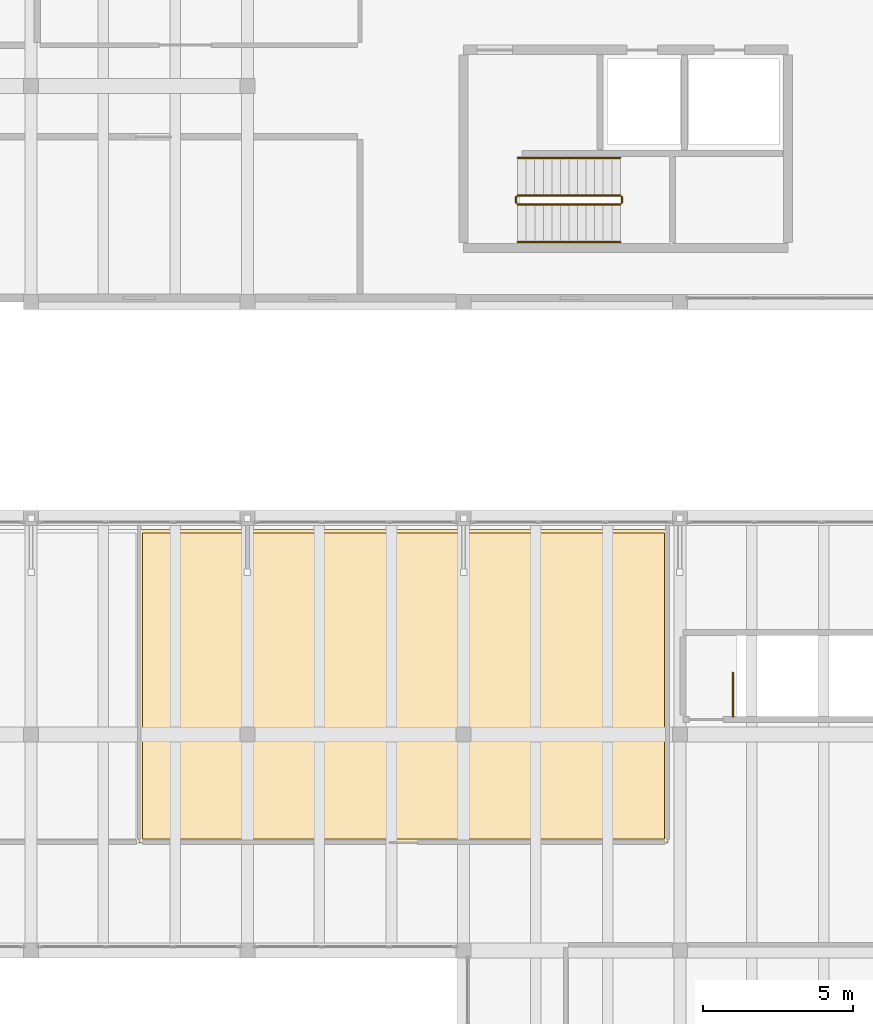
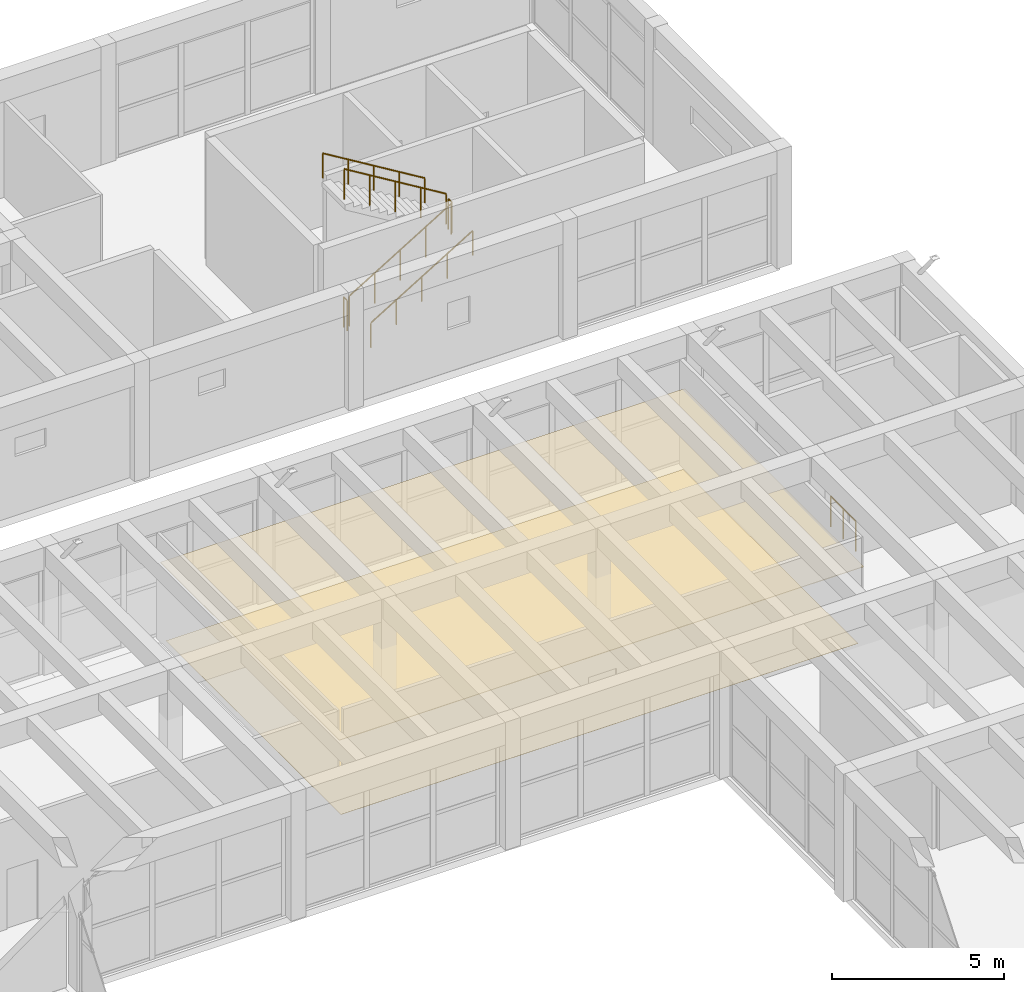
# One storey, part 152 of 153: 7 railings, 2 coverings.
"""IFC4 building model written with IfcOpenShell, lengths in metres."""

import ifcopenshell
import ifcopenshell.guid

model = None  # the IFC model being written
_history = None  # IfcOwnerHistory: only IFC2X3 demands one
_inside = {}  # id of a spatial element -> (the spatial element, [elements in it])
_under = {}  # id of a project, library or spatial element -> (it, [spatial elements below it])
_declared = {}  # id of a project -> (the project, [libraries it declares])
_typed = {}  # id of a type object -> (the type object, [elements of that type])
_made_of = {}  # id of a material, layer set ... -> (it, [elements and type objects made of it])


def new_model(schema):
    """Start an empty IFC model of exactly this schema.

    Asked for "IFC4X3", IfcOpenShell would pick the latest addendum, in which some entities
    have other attributes; the version numbers below select the first issue.
    IFC2X3 requires an IfcOwnerHistory on every rooted entity: one is made here for all.
    """
    global model, _history
    if schema == "IFC4X3":
        model = ifcopenshell.file(schema_version=(4, 3, 0, 0))
    else:
        model = ifcopenshell.file(schema=schema)
    _inside.clear()
    _under.clear()
    _declared.clear()
    _typed.clear()
    _made_of.clear()
    _history = None
    if model.schema == "IFC2X3":
        org = make("IfcOrganization", Name="unknown")
        user = make(
            "IfcPersonAndOrganization",
            ThePerson=make("IfcPerson", FamilyName="unknown"),
            TheOrganization=org,
        )
        app = make(
            "IfcApplication",
            ApplicationDeveloper=org,
            Version="unknown",
            ApplicationFullName="unknown",
            ApplicationIdentifier="unknown",
        )
        _history = make(
            "IfcOwnerHistory",
            OwningUser=user,
            OwningApplication=app,
            ChangeAction="ADDED",
            CreationDate=0,
        )
    return model


def make(cls, **values):
    """One entity of the class cls with the attributes given. An attribute that is None is left unset."""
    return model.create_entity(
        cls, **{name: value for name, value in values.items() if value is not None}
    )


def rooted(cls, **values):
    """An entity with a GlobalId (a new one), such as an element, a storey or a relation."""
    return make(cls, GlobalId=ifcopenshell.guid.new(), OwnerHistory=_history, **values)


def si_unit(unit_type, name, prefix=None):
    """IfcSIUnit, for example si_unit("LENGTHUNIT", "METRE", prefix="MILLI")."""
    return make("IfcSIUnit", UnitType=unit_type, Prefix=prefix, Name=name)


def assignment(units):
    """IfcUnitAssignment: the units of a project."""
    return None if units is None else make("IfcUnitAssignment", Units=units)


def point(xyz):
    """IfcCartesianPoint."""
    return None if xyz is None else make("IfcCartesianPoint", Coordinates=xyz)


def direction(xyz):
    """IfcDirection."""
    return None if xyz is None else make("IfcDirection", DirectionRatios=xyz)


def frame(location, z_axis=None, x_axis=None):
    """IfcAxis2Placement3D, a coordinate frame: its origin and axes. An axis left out is left unset."""
    return make(
        "IfcAxis2Placement3D",
        Location=point(location),
        Axis=direction(z_axis),
        RefDirection=direction(x_axis),
    )


def frame_2d(location, x_axis=None):
    """IfcAxis2Placement2D, a coordinate frame in the plane: its origin and x axis."""
    return make(
        "IfcAxis2Placement2D", Location=point(location), RefDirection=direction(x_axis)
    )


def origin():
    """The frame at (0, 0, 0) with its axes left unset."""
    return frame((0.0, 0.0, 0.0))


def origin_2d():
    """The frame at (0, 0) in the plane with its x axis left unset."""
    return frame_2d((0.0, 0.0))


def place(relative_to, where):
    """IfcLocalPlacement: puts the frame where relative to a parent placement (None: the world)."""
    return make(
        "IfcLocalPlacement", PlacementRelTo=relative_to, RelativePlacement=where
    )


def context(
    kind, dimensions, precision=None, world=None, true_north=None, identifier=None
):
    """IfcGeometricRepresentationContext, for example the 3D "Model" context."""
    return make(
        "IfcGeometricRepresentationContext",
        ContextIdentifier=identifier,
        ContextType=kind,
        CoordinateSpaceDimension=dimensions,
        Precision=precision,
        WorldCoordinateSystem=world,
        TrueNorth=true_north,
    )


def subcontext(parent, identifier, kind, view, scale=None):
    """IfcGeometricRepresentationSubContext, for example "Body" below "Model"."""
    return make(
        "IfcGeometricRepresentationSubContext",
        ContextIdentifier=identifier,
        ContextType=kind,
        ParentContext=parent,
        TargetScale=scale,
        TargetView=view,
    )


def project(units=None, contexts=None):
    """IfcProject with its units and contexts."""
    return rooted(
        "IfcProject",
        Name="project",
        RepresentationContexts=contexts,
        UnitsInContext=assignment(units),
    )


def spatial(cls, under=None, at=None, **own):
    """A site, building, storey or space (cls), placed at a placement, below another one or the project."""
    s = rooted(cls, ObjectPlacement=at, **own)
    if under is not None:
        _under.setdefault(under.id(), (under, []))[1].append(s)
    return s


def polyline(points):
    """IfcPolyline through the points."""
    return make("IfcPolyline", Points=[point(p) for p in points])


def profile(cls, at=None, kind="AREA", **sizes):
    """A parametric profile (cls). Its sizes go by their IFC names, for example OverallWidth=200.0."""
    return make(cls, ProfileType=kind, Position=at, **sizes)


def circle(**sizes):
    """IfcCircleProfileDef."""
    return profile("IfcCircleProfileDef", **sizes)


def outline(outer, holes=None, kind="AREA"):
    """IfcArbitraryClosedProfileDef: a profile drawn as a closed curve; with holes, ...WithVoids."""
    if holes is None:
        return make("IfcArbitraryClosedProfileDef", ProfileType=kind, OuterCurve=outer)
    return make(
        "IfcArbitraryProfileDefWithVoids",
        ProfileType=kind,
        OuterCurve=outer,
        InnerCurves=holes,
    )


def extrude(swept, where, along, depth):
    """IfcExtrudedAreaSolid: the profile swept, set in the frame where, extruded along a direction by depth."""
    return make(
        "IfcExtrudedAreaSolid",
        SweptArea=swept,
        Position=where,
        ExtrudedDirection=direction(along),
        Depth=depth,
    )


def shape(context_of_items, identifier, shape_type, items):
    """IfcShapeRepresentation: the items that make up one representation, for example the "Body"."""
    return make(
        "IfcShapeRepresentation",
        ContextOfItems=context_of_items,
        RepresentationIdentifier=identifier,
        RepresentationType=shape_type,
        Items=items,
    )


def material(Name=None, Category=None):
    """IfcMaterial."""
    return make("IfcMaterial", Name=Name, Category=Category)


def layer(
    of_material, thickness, ventilated=None, Name=None, Category=None, Priority=None
):
    """IfcMaterialLayer: one layer of a wall or slab, of a material (None: an air gap)."""
    return make(
        "IfcMaterialLayer",
        Material=of_material,
        LayerThickness=thickness,
        IsVentilated=ventilated,
        Name=Name,
        Category=Category,
        Priority=Priority,
    )


def layer_set(layers, Name=None):
    """IfcMaterialLayerSet."""
    return make("IfcMaterialLayerSet", MaterialLayers=layers, LayerSetName=Name)


def made_of(thing, what):
    """Note that an element or type object is made of a material, layer set ...; save() writes the relation."""
    if what is not None:
        _made_of.setdefault(what.id(), (what, []))[1].append(thing)
    return thing


def type_object(cls, material=None, **own):
    """A type object (cls), such as IfcWallType, which elements share."""
    return made_of(rooted(cls, **own), material)


def element(
    cls,
    number,
    at=None,
    inside=None,
    cuts=None,
    type_object=None,
    material=None,
    context=None,
    identifier="Body",
    shape_type=None,
    held_by="IfcProductDefinitionShape",
    body=None,
    shapes=None,
    **own,
):
    """One element of the class cls, such as IfcWall. Its Tag is "e" and its number.

    at: its placement. inside: the storey or other place that contains it. cuts: it is an
    opening in that element (IfcRelVoidsElement). A single representation is given by context,
    identifier, shape_type and body (its items); several are given by shapes. held_by: the class
    of the entity that holds the representations. save() writes the other relations.
    """
    e = rooted(cls, Tag="e%d" % number, ObjectPlacement=at, **own)
    if body is not None:
        shapes = [shape(context, identifier, shape_type, body)]
    if shapes is not None:
        e.Representation = make(held_by, Representations=shapes)
    if inside is not None:
        _inside.setdefault(inside.id(), (inside, []))[1].append(e)
    if cuts is not None:
        rooted(
            "IfcRelVoidsElement", RelatingBuildingElement=cuts, RelatedOpeningElement=e
        )
    if type_object is not None:
        _typed.setdefault(type_object.id(), (type_object, []))[1].append(e)
    return made_of(e, material)


def aggregate(whole, parts):
    """IfcRelAggregates: a whole, such as a stair, and the parts it consists of."""
    return rooted("IfcRelAggregates", RelatingObject=whole, RelatedObjects=parts)


def save(model, path):
    """Write the relations noted so far, then the file.

    IfcRelAggregates (storeys below a building ...), IfcRelContainedInSpatialStructure (elements
    in a storey), IfcRelDefinesByType, IfcRelAssociatesMaterial and IfcRelDeclares: one each for
    every whole, place, type object, material and project.
    """
    for whole, parts in _under.values():
        aggregate(whole, parts)
    for where, things in _inside.values():
        rooted(
            "IfcRelContainedInSpatialStructure",
            RelatedElements=things,
            RelatingStructure=where,
        )
    for kind, things in _typed.values():
        rooted("IfcRelDefinesByType", RelatedObjects=things, RelatingType=kind)
    for what, things in _made_of.values():
        rooted("IfcRelAssociatesMaterial", RelatedObjects=things, RelatingMaterial=what)
    for by, libraries in _declared.values():
        rooted("IfcRelDeclares", RelatingContext=by, RelatedDefinitions=libraries)
    model.write(path)


model = new_model("IFC4")

# Units and contexts
model_context = context("Model", 3, precision=1e-05, world=origin(), true_north=direction((0.0, 1.0)))
body_context = subcontext(model_context, "Body", "Model", "MODEL_VIEW")
ifc_project = project(units=[si_unit("LENGTHUNIT", "METRE"), si_unit("AREAUNIT", "SQUARE_METRE"), si_unit("VOLUMEUNIT", "CUBIC_METRE"), si_unit("PLANEANGLEUNIT", "RADIAN"), si_unit("MASSUNIT", "GRAM", prefix="KILO")], contexts=[model_context])

# Site, building, storey
site_placement = place(None, origin())
site = spatial("IfcSite", under=ifc_project, at=site_placement, CompositionType="ELEMENT")
building_placement = place(site_placement, origin())
building = spatial("IfcBuilding", under=site, at=building_placement, Name="Bramvelor Terrace Health Centre", CompositionType="ELEMENT")
storey_placement = place(building_placement, frame((0.0, 0.0, 4.800048828125)))
storey = spatial("IfcBuildingStorey", under=building, at=storey_placement, Name="L02", CompositionType="ELEMENT", Elevation=4.800048828125)

# Coverings
ifc_material_1 = material(Name="Hygienic mineral-fibre acoustic ceiling", Category="gypsum")
ifc_layer_1 = layer(ifc_material_1, 0.02001953125)
ifc_layer_set_1 = layer_set([ifc_layer_1], Name="Hygienic mineral-fibre acoustic ceiling")
covering_type_1 = type_object("IfcCoveringType", Name="COV-CLG-ACT", PredefinedType="CEILING", material=ifc_layer_set_1)
covering_1_placement = place(storey_placement, frame((0.0, 0.0, 2.75)))
element("IfcCovering", 1, at=covering_1_placement, inside=storey, type_object=covering_type_1, Name="L02 Maternal Prenatal Classroom Acoustic Ceiling", PredefinedType="CEILING", context=body_context, shape_type="SweptSolid", body=[
    extrude(outline(polyline([(68.389892578125, 78.800048828125), (68.39013671875, 78.802001953125), (68.390380859375, 78.803955078125), (68.390869140625, 78.805908203125), (68.3916015625, 78.8076171875), (68.392333984375, 78.809326171875), (68.393310546875, 78.81103515625), (68.39453125, 78.812744140625), (68.39599609375, 78.814208984375), (68.397216796875, 78.8154296875), (68.39892578125, 78.816650390625), (68.400634765625, 78.817626953125), (68.40234375, 78.818603515625), (68.404296875, 78.819091796875), (68.406005859375, 78.819580078125), (68.407958984375, 78.81982421875), (68.409912109375, 78.820068359375), (85.989990234375, 78.820068359375), (85.991943359375, 78.81982421875), (85.993896484375, 78.819580078125), (85.995849609375, 78.819091796875), (85.997802734375, 78.818603515625), (85.99951171875, 78.817626953125), (86.001220703125, 78.816650390625), (86.002685546875, 78.8154296875), (86.004150390625, 78.814208984375), (86.005615234375, 78.812744140625), (86.006591796875, 78.81103515625), (86.007568359375, 78.809326171875), (86.008544921875, 78.8076171875), (86.009033203125, 78.805908203125), (86.009521484375, 78.803955078125), (86.010009765625, 78.802001953125), (86.010009765625, 78.800048828125), (86.010009765625, 68.409912109375), (86.010009765625, 68.407958984375), (86.009521484375, 68.406005859375), (86.009033203125, 68.404296875), (86.008544921875, 68.40234375), (86.007568359375, 68.400634765625), (86.006591796875, 68.39892578125), (86.005615234375, 68.397216796875), (86.004150390625, 68.39599609375), (86.002685546875, 68.39453125), (86.001220703125, 68.393310546875), (85.99951171875, 68.392333984375), (85.997802734375, 68.3916015625), (85.995849609375, 68.390869140625), (85.993896484375, 68.390380859375), (85.991943359375, 68.39013671875), (85.989990234375, 68.389892578125), (68.409912109375, 68.389892578125), (68.407958984375, 68.39013671875), (68.406005859375, 68.390380859375), (68.404296875, 68.390869140625), (68.40234375, 68.3916015625), (68.400634765625, 68.392333984375), (68.39892578125, 68.393310546875), (68.397216796875, 68.39453125), (68.39599609375, 68.39599609375), (68.39453125, 68.397216796875), (68.393310546875, 68.39892578125), (68.392333984375, 68.400634765625), (68.3916015625, 68.40234375), (68.390869140625, 68.404296875), (68.390380859375, 68.406005859375), (68.39013671875, 68.407958984375), (68.389892578125, 68.409912109375), (68.389892578125, 78.800048828125)])), origin(), (0.0, 0.0, 1.0), 0.02001953125),
])
ifc_material_2 = material(Name="Seamless antimicrobial clinical vinyl", Category="polymer")
ifc_layer_2 = layer(ifc_material_2, 0.008056640625)
ifc_layer_set_2 = layer_set([ifc_layer_2], Name="Seamless antimicrobial clinical vinyl")
covering_type_2 = type_object("IfcCoveringType", Name="COV-FLR-VNL", PredefinedType="FLOORING", material=ifc_layer_set_2)
covering_2_placement = place(storey_placement, origin())
element("IfcCovering", 2, at=covering_2_placement, inside=storey, type_object=covering_type_2, Name="L02 Maternal Prenatal Classroom Clinical Vinyl Flooring", PredefinedType="FLOORING", context=body_context, shape_type="SweptSolid", body=[
    extrude(outline(polyline([(68.510009765625, 78.699951171875), (85.889892578125, 78.699951171875), (85.889892578125, 68.510009765625), (68.510009765625, 68.510009765625), (68.510009765625, 78.699951171875)])), origin(), (0.0, 0.0, 1.0), 0.008056640625),
])

# Railings
ifc_material_3 = material(Name="Painted galvanized steel", Category="steel")
railing_type_1 = type_object("IfcRailingType", Name="RLG-GD-1100", PredefinedType="GUARDRAIL", material=ifc_material_3)
railing_1_placement = place(storey_placement, frame((81.0, 89.64990234375, 0.173095703125)))
element("IfcRailing", 3, at=railing_1_placement, inside=storey, type_object=railing_type_1, Name="L02 ST-4 stair guard 1", PredefinedType="GUARDRAIL", context=body_context, shape_type="SweptSolid", body=[
    extrude(circle(Radius=0.02392578125, at=origin_2d()), frame((0.0, 0.0, 1.076171875), z_axis=(0.854729506542, 0.0, 0.519073665916), x_axis=(0.0, 1.0, 0.0)), (0.0, 0.0, 1.0), 4.001220703125),
    extrude(circle(Radius=0.02099609375, at=origin_2d()), origin(), (0.0, 0.0, 1.0), 1.052001953125),
    extrude(circle(Radius=0.02099609375, at=origin_2d()), frame((0.85498046875, 0.0, 0.519287109375)), (0.0, 0.0, 1.0), 1.052001953125),
    extrude(circle(Radius=0.02099609375, at=origin_2d()), frame((1.7099609375, 0.0, 1.03857421875)), (0.0, 0.0, 1.0), 1.052001953125),
    extrude(circle(Radius=0.02099609375, at=origin_2d()), frame((2.56494140625, 0.0, 1.5576171875)), (0.0, 0.0, 1.0), 1.052001953125),
    extrude(circle(Radius=0.02099609375, at=origin_2d()), frame((3.419921875, 0.0, 2.076904296875)), (0.0, 0.0, 1.0), 1.052001953125),
])
railing_2_placement = place(storey_placement, frame((84.469970703125, 89.699951171875, 2.25)))
element("IfcRailing", 4, at=railing_2_placement, inside=storey, type_object=railing_type_1, Name="L02 ST-4 stair guard 2", PredefinedType="GUARDRAIL", context=body_context, shape_type="SweptSolid", body=[
    extrude(circle(Radius=0.02392578125, at=origin_2d()), frame((0.0, 0.0, 1.076171875), z_axis=(0.0, 1.0, 0.0), x_axis=(-1.0, 0.0, 0.0)), (0.0, 0.0, 1.0), 0.199951171875),
    extrude(circle(Radius=0.02099609375, at=origin_2d()), origin(), (0.0, 0.0, 1.0), 1.052001953125),
    extrude(circle(Radius=0.02099609375, at=origin_2d()), frame((0.0, 0.199951171875, 0.0)), (0.0, 0.0, 1.0), 1.052001953125),
])
railing_3_placement = place(storey_placement, frame((84.419921875, 89.949951171875, 2.423095703125)))
element("IfcRailing", 5, at=railing_3_placement, inside=storey, type_object=railing_type_1, Name="L02 ST-4 stair guard 3", PredefinedType="GUARDRAIL", context=body_context, shape_type="SweptSolid", body=[
    extrude(circle(Radius=0.02392578125, at=origin_2d()), frame((0.0, 0.0, 1.076171875), z_axis=(-0.854729506542, 0.0, 0.519073665916), x_axis=(0.0, -1.0, 0.0)), (0.0, 0.0, 1.0), 4.001220703125),
    extrude(circle(Radius=0.02099609375, at=origin_2d()), origin(), (0.0, 0.0, 1.0), 1.052001953125),
    extrude(circle(Radius=0.02099609375, at=origin_2d()), frame((-0.85498046875, 0.0, 0.519287109375)), (0.0, 0.0, 1.0), 1.052001953125),
    extrude(circle(Radius=0.02099609375, at=origin_2d()), frame((-1.7099609375, 0.0, 1.03857421875)), (0.0, 0.0, 1.0), 1.052001953125),
    extrude(circle(Radius=0.02099609375, at=origin_2d()), frame((-2.56494140625, 0.0, 1.5576171875)), (0.0, 0.0, 1.0), 1.052001953125),
    extrude(circle(Radius=0.02099609375, at=origin_2d()), frame((-3.419921875, 0.0, 2.076904296875)), (0.0, 0.0, 1.0), 1.052001953125),
])
railing_4_placement = place(storey_placement, frame((80.949951171875, 89.699951171875, 0.0)))
element("IfcRailing", 6, at=railing_4_placement, inside=storey, type_object=railing_type_1, Name="L02 ST-4 stair guard 4", PredefinedType="GUARDRAIL", context=body_context, shape_type="SweptSolid", body=[
    extrude(circle(Radius=0.02392578125, at=origin_2d()), frame((0.0, 0.0, 1.076171875), z_axis=(0.0, 1.0, 0.0), x_axis=(-1.0, 0.0, 0.0)), (0.0, 0.0, 1.0), 0.199951171875),
    extrude(circle(Radius=0.02099609375, at=origin_2d()), origin(), (0.0, 0.0, 1.0), 1.052001953125),
    extrude(circle(Radius=0.02099609375, at=origin_2d()), frame((0.0, 0.199951171875, 0.0)), (0.0, 0.0, 1.0), 1.052001953125),
])
railing_5_placement = place(storey_placement, frame((88.169921875, 72.60009765625, 0.0)))
element("IfcRailing", 7, at=railing_5_placement, inside=storey, type_object=railing_type_1, Name="L02 ST-8 top well guard 1", PredefinedType="GUARDRAIL", context=body_context, shape_type="SweptSolid", body=[
    extrude(circle(Radius=0.02392578125, at=origin_2d()), frame((0.0, 0.0, 1.076171875), z_axis=(0.0, 1.0, 0.0), x_axis=(-1.0, 0.0, 0.0)), (0.0, 0.0, 1.0), 1.449951171875),
    extrude(circle(Radius=0.02099609375, at=origin_2d()), origin(), (0.0, 0.0, 1.0), 1.052001953125),
    extrude(circle(Radius=0.02099609375, at=origin_2d()), frame((0.0, 0.72509765625, 0.0)), (0.0, 0.0, 1.0), 1.052001953125),
    extrude(circle(Radius=0.02099609375, at=origin_2d()), frame((0.0, 1.449951171875, 0.0)), (0.0, 0.0, 1.0), 1.052001953125),
])
ifc_material_4 = material(Name="Brushed stainless steel 316", Category="steel")
railing_type_2 = type_object("IfcRailingType", Name="RLG-HR-900", PredefinedType="HANDRAIL", material=ifc_material_4)
railing_6_placement = place(storey_placement, frame((81.0, 88.39990234375, 0.173095703125)))
element("IfcRailing", 8, at=railing_6_placement, inside=storey, type_object=railing_type_2, Name="L02 ST-4 stair handrail 1", PredefinedType="HANDRAIL", context=body_context, shape_type="SweptSolid", body=[
    extrude(circle(Radius=0.02392578125, at=origin_2d()), frame((0.0, 0.0, 0.8759765625), z_axis=(0.854729506542, 0.0, 0.519073665916), x_axis=(0.0, 1.0, 0.0)), (0.0, 0.0, 1.0), 4.001220703125),
    extrude(circle(Radius=0.02099609375, at=origin_2d()), origin(), (0.0, 0.0, 1.0), 0.851806640625),
    extrude(circle(Radius=0.02099609375, at=origin_2d()), frame((0.85498046875, 0.0, 0.519287109375)), (0.0, 0.0, 1.0), 0.851806640625),
    extrude(circle(Radius=0.02099609375, at=origin_2d()), frame((1.7099609375, 0.0, 1.03857421875)), (0.0, 0.0, 1.0), 0.851806640625),
    extrude(circle(Radius=0.02099609375, at=origin_2d()), frame((2.56494140625, 0.0, 1.5576171875)), (0.0, 0.0, 1.0), 0.851806640625),
    extrude(circle(Radius=0.02099609375, at=origin_2d()), frame((3.419921875, 0.0, 2.076904296875)), (0.0, 0.0, 1.0), 0.851806640625),
])
railing_7_placement = place(storey_placement, frame((84.419921875, 91.199951171875, 2.423095703125)))
element("IfcRailing", 9, at=railing_7_placement, inside=storey, type_object=railing_type_2, Name="L02 ST-4 stair handrail 2", PredefinedType="HANDRAIL", context=body_context, shape_type="SweptSolid", body=[
    extrude(circle(Radius=0.02392578125, at=origin_2d()), frame((0.0, 0.0, 0.8759765625), z_axis=(-0.854729506542, 0.0, 0.519073665916), x_axis=(0.0, -1.0, 0.0)), (0.0, 0.0, 1.0), 4.001220703125),
    extrude(circle(Radius=0.02099609375, at=origin_2d()), origin(), (0.0, 0.0, 1.0), 0.851806640625),
    extrude(circle(Radius=0.02099609375, at=origin_2d()), frame((-0.85498046875, 0.0, 0.519287109375)), (0.0, 0.0, 1.0), 0.851806640625),
    extrude(circle(Radius=0.02099609375, at=origin_2d()), frame((-1.7099609375, 0.0, 1.03857421875)), (0.0, 0.0, 1.0), 0.851806640625),
    extrude(circle(Radius=0.02099609375, at=origin_2d()), frame((-2.56494140625, 0.0, 1.5576171875)), (0.0, 0.0, 1.0), 0.851806640625),
    extrude(circle(Radius=0.02099609375, at=origin_2d()), frame((-3.419921875, 0.0, 2.076904296875)), (0.0, 0.0, 1.0), 0.851806640625),
])

save(model, "model.ifc")
